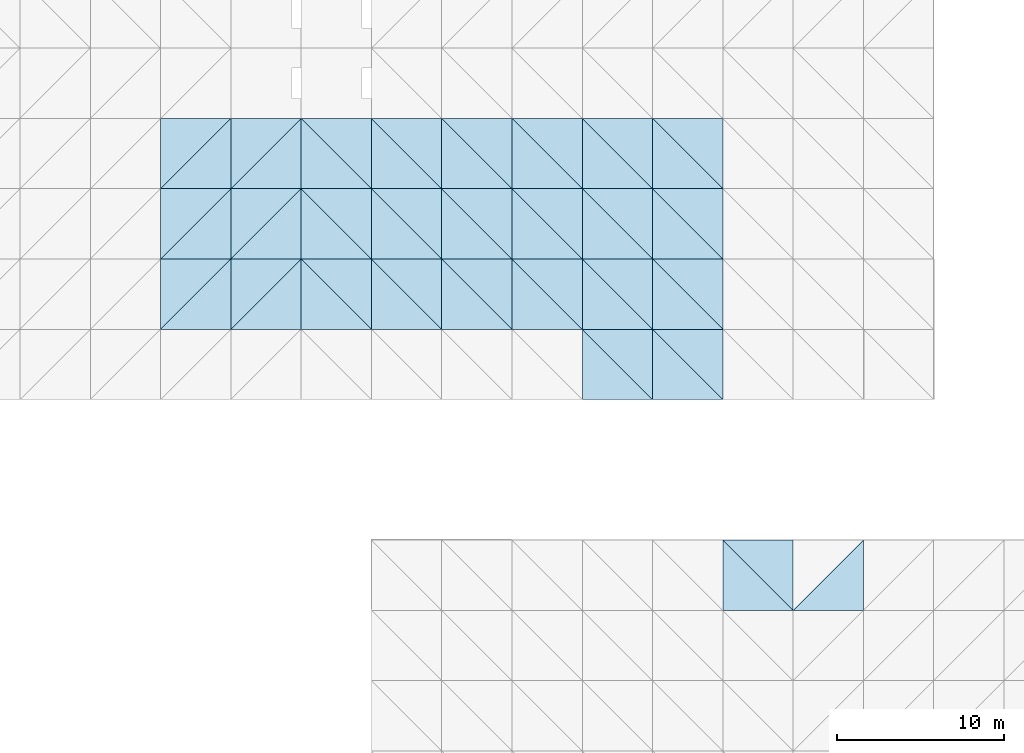
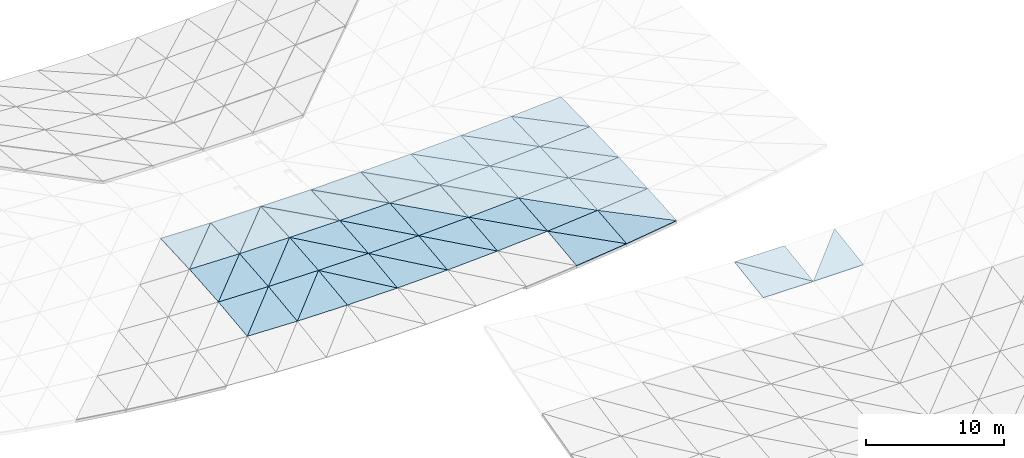
# One storey, part 50 of 64: 55 roofs.
"""IFC4 building model written with IfcOpenShell, lengths in metres."""

from ifc_helpers import new_model, si_unit, direction, frame, origin, place, context, subcontext, project, spatial, polyline, outline, extrude, material, layer, layer_set, type_object, element, save


model = new_model("IFC4")

# Units and contexts
model_context = context("Model", 3, precision=1e-05, world=origin(), true_north=direction((0.0, 1.0)))
body_context = subcontext(model_context, "Body", "Model", "MODEL_VIEW")
ifc_project = project(units=[si_unit("LENGTHUNIT", "METRE"), si_unit("AREAUNIT", "SQUARE_METRE"), si_unit("VOLUMEUNIT", "CUBIC_METRE"), si_unit("PLANEANGLEUNIT", "RADIAN"), si_unit("MASSUNIT", "GRAM", prefix="KILO")], contexts=[model_context])

# Site, building, storey
site_placement = place(None, origin())
site = spatial("IfcSite", under=ifc_project, at=site_placement, CompositionType="ELEMENT")
building_placement = place(site_placement, origin())
building = spatial("IfcBuilding", under=site, at=building_placement, Name="Cumbredor Promenade Congress Hotel", CompositionType="ELEMENT")
storey_placement = place(building_placement, frame((0.0, 0.0, 18.47998046875)))
storey = spatial("IfcBuildingStorey", under=building, at=storey_placement, Name="L05", CompositionType="ELEMENT", Elevation=18.47998046875)

# Roofs
ifc_material = material(Name="Standing-seam zinc-aluminium roofing", Category="aluminium")
ifc_layer = layer(ifc_material, 0.050048828125, Name="Standing-seam zinc-aluminium roofing", Category="aluminium")
ifc_layer_set = layer_set([ifc_layer], Name="Standing-seam zinc-aluminium roofing")
roof_type = type_object("IfcRoofType", Name="Sweeping Pavilion Standing-Seam Roof Skin 50mm", PredefinedType="FREEFORM", material=ifc_layer_set)
roof_1_placement = place(storey_placement, frame((159.60009765625, 67.199951171875, 2.47509765625), z_axis=(0.005918458152, -0.151121795525, 0.98849743286), x_axis=(0.999982076435, 0.0, -0.005987220477)))
element("IfcRoof", 1, at=roof_1_placement, inside=storey, type_object=roof_type, Name="Grand Ballroom Pavilion Standing-Seam Roof Skin 6.17.1", PredefinedType="FREEFORM", context=body_context, shape_type="SweptSolid", body=[
    extrude(outline(polyline([(0.0, 0.0), (4.200026451322731, 0.0), (-0.0038443334608334553, 4.248747395960524), (0.0, 0.0)])), origin(), (0.0, 0.0, -1.0), 0.050048828125),
])
roof_2_placement = place(storey_placement, frame((163.800048828125, 67.199951171875, 2.449951171875), z_axis=(0.01109796617, -0.146056135088, 0.989214051937), x_axis=(0.0, 0.989274975767, 0.14606513041)))
element("IfcRoof", 2, at=roof_2_placement, inside=storey, type_object=roof_type, Name="Grand Ballroom Pavilion Standing-Seam Roof Skin 6.17.2", PredefinedType="FREEFORM", context=body_context, shape_type="SweptSolid", body=[
    extrude(outline(polyline([(0.0, 0.0), (4.245484091639857, 0.0), (4.252366555060066, 4.200209838953847), (0.0, 0.0)])), origin(), (0.0, 0.0, -1.0), 0.050048828125),
])
roof_3_placement = place(storey_placement, frame((163.800048828125, 67.199951171875, 2.449951171875), z_axis=(-0.005918458152, -0.151121795525, 0.98849743286), x_axis=(0.999982076435, 0.0, 0.005987220477)))
element("IfcRoof", 3, at=roof_3_placement, inside=storey, type_object=roof_type, Name="Grand Ballroom Pavilion Standing-Seam Roof Skin 7.17.1", PredefinedType="FREEFORM", context=body_context, shape_type="SweptSolid", body=[
    extrude(outline(polyline([(0.0, 0.0), (4.200026451322731, 0.0), (4.203870784783564, 4.248747395960524), (0.0, 0.0)])), origin(), (0.0, 0.0, -1.0), 0.050048828125),
])
roof_4_placement = place(storey_placement, frame((126.0, 84.0, 0.622802734375), z_axis=(0.029866324427, -0.123674258485, 0.991873318753), x_axis=(0.999546971061, 0.0, -0.03009738598)))
element("IfcRoof", 4, at=roof_4_placement, inside=storey, type_object=roof_type, Name="Pre-Function and Breakout Meeting Forum Standing-Seam Roof Skin 10.2.1", PredefinedType="FREEFORM", context=body_context, shape_type="SweptSolid", body=[
    extrude(outline(polyline([(0.0, 0.0), (4.201854733666896, 0.0), (4.186093285198498, 4.232444197340829), (0.0, 0.0)])), origin(), (0.0, 0.0, -1.0), 0.050048828125),
])
roof_5_placement = place(storey_placement, frame((126.0, 84.0, 0.622802734375), z_axis=(0.023948655361, -0.117838925898, 0.992743899226), x_axis=(0.70553084737, 0.70553084737, 0.066726657482)))
element("IfcRoof", 5, at=roof_5_placement, inside=storey, type_object=roof_type, Name="Pre-Function and Breakout Meeting Forum Standing-Seam Roof Skin 10.2.2", PredefinedType="FREEFORM", context=body_context, shape_type="SweptSolid", body=[
    extrude(outline(polyline([(0.0, 0.0), (5.952895167562421, 4.2327252813834093e-16), (2.9964606938195932, 2.9848535070494844), (0.0, 0.0)])), origin(), (0.0, 0.0, -1.0), 0.050048828125),
])
roof_6_placement = place(storey_placement, frame((126.0, 88.199951171875, 1.121337890625), z_axis=(0.024021795727, -0.088620166887, 0.995775787691), x_axis=(0.999709150504, 0.0, -0.024116682989)))
element("IfcRoof", 6, at=roof_6_placement, inside=storey, type_object=roof_type, Name="Pre-Function and Breakout Meeting Forum Standing-Seam Roof Skin 10.3.1", PredefinedType="FREEFORM", context=body_context, shape_type="SweptSolid", body=[
    extrude(outline(polyline([(0.0, 0.0), (4.201173080947823, 0.0), (4.19215876413725, 4.216541183363327), (0.0, 0.0)])), origin(), (0.0, 0.0, -1.0), 0.050048828125),
])
roof_7_placement = place(storey_placement, frame((126.0, 88.199951171875, 1.121337890625), z_axis=(0.019863140669, -0.084490735382, 0.996226265101), x_axis=(0.706364001027, 0.706364001027, 0.045823532241)))
element("IfcRoof", 7, at=roof_7_placement, inside=storey, type_object=roof_type, Name="Pre-Function and Breakout Meeting Forum Standing-Seam Roof Skin 10.3.2", PredefinedType="FREEFORM", context=body_context, shape_type="SweptSolid", body=[
    extrude(outline(polyline([(0.0, 0.0), (5.945873750318935, -2.255140518769849e-16), (2.983016709766241, 2.9779322407057385), (0.0, 0.0)])), origin(), (0.0, 0.0, -1.0), 0.050048828125),
])
roof_8_placement = place(storey_placement, frame((126.0, 92.39990234375, 1.4775390625), z_axis=(0.01991182491, -0.047599846538, 0.998667999807), x_axis=(0.999801289689, 0.0, -0.019934420878)))
element("IfcRoof", 8, at=roof_8_placement, inside=storey, type_object=roof_type, Name="Pre-Function and Breakout Meeting Forum Standing-Seam Roof Skin 10.4.1", PredefinedType="FREEFORM", context=body_context, shape_type="SweptSolid", body=[
    extrude(outline(polyline([(0.0, 0.0), (4.200785911348895, 0.0), (4.196795133731727, 4.204961700180866), (0.0, 0.0)])), origin(), (0.0, 0.0, -1.0), 0.050048828125),
])
roof_9_placement = place(storey_placement, frame((126.0, 92.39990234375, 1.4775390625), z_axis=(0.02315740874, -0.050838874481, 0.998438352259), x_axis=(0.706950370037, 0.706991464635, 0.019602123264)))
element("IfcRoof", 9, at=roof_9_placement, inside=storey, type_object=roof_type, Name="Pre-Function and Breakout Meeting Forum Standing-Seam Roof Skin 10.4.2", PredefinedType="FREEFORM", context=body_context, shape_type="SweptSolid", body=[
    extrude(outline(polyline([(0.0, 0.0), (5.940942037631933, -4.380176776841438e-16), (2.9736944867109947, 2.9739739300708017), (0.0, 0.0)])), origin(), (0.0, 0.0, -1.0), 0.050048828125),
])
roof_10_placement = place(storey_placement, frame((130.199951171875, 84.0, 0.496337890625), z_axis=(0.009976175841, -0.125653682986, 0.992024005691), x_axis=(0.99994943839, 0.0, -0.010055877047)))
element("IfcRoof", 10, at=roof_10_placement, inside=storey, type_object=roof_type, Name="Pre-Function and Breakout Meeting Forum Standing-Seam Roof Skin 11.2.1", PredefinedType="FREEFORM", context=body_context, shape_type="SweptSolid", body=[
    extrude(outline(polyline([(0.0, 0.0), (4.200163538905083, -8.673617379884035e-19), (4.194813989079482, 4.233505229196586), (0.0, 0.0)])), origin(), (0.0, 0.0, -1.0), 0.050048828125),
])
roof_11_placement = place(storey_placement, frame((130.199951171875, 84.0, 0.496337890625), z_axis=(0.008017641638, -0.12372547708, 0.992284094271), x_axis=(0.704715278385, 0.704715278385, 0.08217513506)))
element("IfcRoof", 11, at=roof_11_placement, inside=storey, type_object=roof_type, Name="Pre-Function and Breakout Meeting Forum Standing-Seam Roof Skin 11.2.2", PredefinedType="FREEFORM", context=body_context, shape_type="SweptSolid", body=[
    extrude(outline(polyline([(0.0, 0.0), (5.959784469979747, 3.0531133177191805e-16), (3.0028033688372116, 2.9827846444156463), (0.0, 0.0)])), origin(), (0.0, 0.0, -1.0), 0.050048828125),
])
roof_12_placement = place(storey_placement, frame((130.199951171875, 88.199951171875, 1.02001953125), z_axis=(0.008046875416, -0.090078691709, 0.995902142329), x_axis=(0.999967358511, 0.0, -0.008079722306)))
element("IfcRoof", 12, at=roof_12_placement, inside=storey, type_object=roof_type, Name="Pre-Function and Breakout Meeting Forum Standing-Seam Roof Skin 11.3.1", PredefinedType="FREEFORM", context=body_context, shape_type="SweptSolid", body=[
    extrude(outline(polyline([(0.0, 0.0), (4.200088269010057, 0.0), (4.197018921376171, 4.217095134861461), (0.0, 0.0)])), origin(), (0.0, 0.0, -1.0), 0.050048828125),
])
roof_13_placement = place(storey_placement, frame((130.199951171875, 88.199951171875, 1.02001953125), z_axis=(0.006600519278, -0.088643815915, 0.996041518736), x_axis=(0.705910445422, 0.705910445422, 0.0581453875)))
element("IfcRoof", 13, at=roof_13_placement, inside=storey, type_object=roof_type, Name="Pre-Function and Breakout Meeting Forum Standing-Seam Roof Skin 11.3.2", PredefinedType="FREEFORM", context=body_context, shape_type="SweptSolid", body=[
    extrude(outline(polyline([(0.0, 0.0), (5.949694042794284, 6.696032617270475e-16), (2.9865229445462607, 2.9765721074090066), (0.0, 0.0)])), origin(), (0.0, 0.0, -1.0), 0.050048828125),
])
roof_14_placement = place(storey_placement, frame((130.199951171875, 92.39990234375, 1.393798828125), z_axis=(0.006616862076, -0.054208683789, 0.998507704396), x_axis=(0.999978043808, 0.0, -0.00662660565)))
element("IfcRoof", 14, at=roof_14_placement, inside=storey, type_object=roof_type, Name="Pre-Function and Breakout Meeting Forum Standing-Seam Roof Skin 11.4.1", PredefinedType="FREEFORM", context=body_context, shape_type="SweptSolid", body=[
    extrude(outline(polyline([(0.0, 0.0), (4.20004338883513, 0.0), (4.19853234155072, 4.206380254967537), (0.0, 0.0)])), origin(), (0.0, 0.0, -1.0), 0.050048828125),
])
roof_15_placement = place(storey_placement, frame((130.199951171875, 92.39990234375, 1.393798828125), z_axis=(0.0, -0.047609285557, 0.998866035026), x_axis=(0.706684959675, 0.706726038844, 0.033684919313)))
element("IfcRoof", 15, at=roof_15_placement, inside=storey, type_object=roof_type, Name="Pre-Function and Breakout Meeting Forum Standing-Seam Roof Skin 11.4.2", PredefinedType="FREEFORM", context=body_context, shape_type="SweptSolid", body=[
    extrude(outline(polyline([(0.0, 0.0), (5.943173283055789, 9.367506770274758e-17), (2.9751309585243275, 2.9715845278107205), (0.0, 0.0)])), origin(), (0.0, 0.0, -1.0), 0.050048828125),
])
roof_16_placement = place(storey_placement, frame((134.39990234375, 84.0, 0.4541015625), z_axis=(-0.009975596023, -0.125653683712, 0.99202401143), x_axis=(0.999949444267, 0.0, 0.010055292598)))
element("IfcRoof", 16, at=roof_16_placement, inside=storey, type_object=roof_type, Name="Pre-Function and Breakout Meeting Forum Standing-Seam Roof Skin 12.2.1", PredefinedType="FREEFORM", context=body_context, shape_type="SweptSolid", body=[
    extrude(outline(polyline([(0.0, 0.0), (4.200407667186657, 0.0), (0.005349238909016163, 4.233505229589456), (0.0, 0.0)])), origin(), (0.0, 0.0, -1.0), 0.050048828125),
])
roof_17_placement = place(storey_placement, frame((138.60009765625, 84.0, 0.496337890625), z_axis=(-0.008017175635, -0.123725477543, 0.992284097979), x_axis=(0.0, 0.992315989099, 0.123729453968)))
element("IfcRoof", 17, at=roof_17_placement, inside=storey, type_object=roof_type, Name="Pre-Function and Breakout Meeting Forum Standing-Seam Roof Skin 12.2.2", PredefinedType="FREEFORM", context=body_context, shape_type="SweptSolid", body=[
    extrude(outline(polyline([(0.0, 0.0), (4.232473544732664, -8.673617379884035e-19), (4.228274718047705, 4.200330303005127), (0.0, 0.0)])), origin(), (0.0, 0.0, -1.0), 0.050048828125),
])
roof_18_placement = place(storey_placement, frame((134.39990234375, 88.199951171875, 0.986083984375), z_axis=(-0.008046407714, -0.090078692048, 0.995902146078), x_axis=(0.999967362305, 0.0, 0.008079252695)))
element("IfcRoof", 18, at=roof_18_placement, inside=storey, type_object=roof_type, Name="Pre-Function and Breakout Meeting Forum Standing-Seam Roof Skin 12.3.1", PredefinedType="FREEFORM", context=body_context, shape_type="SweptSolid", body=[
    extrude(outline(polyline([(0.0, 0.0), (4.200332401666406, 0.0), (0.003069169236579016, 4.2170951349913), (0.0, 0.0)])), origin(), (0.0, 0.0, -1.0), 0.050048828125),
])
roof_19_placement = place(storey_placement, frame((138.60009765625, 88.199951171875, 1.02001953125), z_axis=(-0.006600135633, -0.088643816139, 0.996041521258), x_axis=(0.0, 0.996063216643, 0.088645746944)))
element("IfcRoof", 19, at=roof_19_placement, inside=storey, type_object=roof_type, Name="Pre-Function and Breakout Meeting Forum Standing-Seam Roof Skin 12.3.2", PredefinedType="FREEFORM", context=body_context, shape_type="SweptSolid", body=[
    extrude(outline(polyline([(0.0, 0.0), (4.216550818964069, 0.0), (4.21408362776494, 4.200286799502869), (0.0, 0.0)])), origin(), (0.0, 0.0, -1.0), 0.050048828125),
])
roof_20_placement = place(storey_placement, frame((134.39990234375, 92.39990234375, 1.365966796875), z_axis=(-0.006616477481, -0.054208683927, 0.998507706937), x_axis=(0.99997804636, 0.0, 0.006626220489)))
element("IfcRoof", 20, at=roof_20_placement, inside=storey, type_object=roof_type, Name="Pre-Function and Breakout Meeting Forum Standing-Seam Roof Skin 12.4.1", PredefinedType="FREEFORM", context=body_context, shape_type="SweptSolid", body=[
    extrude(outline(polyline([(0.0, 0.0), (4.200287524100044, 0.0), (0.0015109594571062822, 4.206380254999085), (0.0, 0.0)])), origin(), (0.0, 0.0, -1.0), 0.050048828125),
])
roof_21_placement = place(storey_placement, frame((138.60009765625, 92.39990234375, 1.393798828125), z_axis=(0.0, -0.047609285557, 0.998866035026), x_axis=(0.0, 0.998866035026, 0.047609285557)))
element("IfcRoof", 21, at=roof_21_placement, inside=storey, type_object=roof_type, Name="Pre-Function and Breakout Meeting Forum Standing-Seam Roof Skin 12.4.2", PredefinedType="FREEFORM", context=body_context, shape_type="SweptSolid", body=[
    extrude(outline(polyline([(0.0, 0.0), (4.20496359393205, 0.0), (4.20496359393205, 4.2001953125), (0.0, 0.0)])), origin(), (0.0, 0.0, -1.0), 0.050048828125),
])
roof_22_placement = place(storey_placement, frame((138.60009765625, 84.0, 0.496337890625), z_axis=(-0.029866324427, -0.123674258485, 0.991873318753), x_axis=(0.999546971061, 0.0, 0.03009738598)))
element("IfcRoof", 22, at=roof_22_placement, inside=storey, type_object=roof_type, Name="Pre-Function and Breakout Meeting Forum Standing-Seam Roof Skin 13.2.1", PredefinedType="FREEFORM", context=body_context, shape_type="SweptSolid", body=[
    extrude(outline(polyline([(0.0, 0.0), (4.201854733666896, 0.0), (0.015761448468397835, 4.232444197340829), (0.0, 0.0)])), origin(), (0.0, 0.0, -1.0), 0.050048828125),
])
roof_23_placement = place(storey_placement, frame((142.800048828125, 84.0, 0.622802734375), z_axis=(-0.023948655361, -0.117838925898, 0.992743899226), x_axis=(0.0, 0.993028709966, 0.117872732997)))
element("IfcRoof", 23, at=roof_23_placement, inside=storey, type_object=roof_type, Name="Pre-Function and Breakout Meeting Forum Standing-Seam Roof Skin 13.2.2", PredefinedType="FREEFORM", context=body_context, shape_type="SweptSolid", body=[
    extrude(outline(polyline([(0.0, 0.0), (4.229435795487549, 1.734723475976807e-18), (4.217493123565233, 4.2011561062007665), (0.0, 0.0)])), origin(), (0.0, 0.0, -1.0), 0.050048828125),
])
roof_24_placement = place(storey_placement, frame((138.60009765625, 88.199951171875, 1.02001953125), z_axis=(-0.024021795727, -0.088620166887, 0.995775787691), x_axis=(0.999709150504, 0.0, 0.024116682989)))
element("IfcRoof", 24, at=roof_24_placement, inside=storey, type_object=roof_type, Name="Pre-Function and Breakout Meeting Forum Standing-Seam Roof Skin 13.3.1", PredefinedType="FREEFORM", context=body_context, shape_type="SweptSolid", body=[
    extrude(outline(polyline([(0.0, 0.0), (4.201173080947823, 0.0), (0.009014316810573318, 4.216541183363327), (0.0, 0.0)])), origin(), (0.0, 0.0, -1.0), 0.050048828125),
])
roof_25_placement = place(storey_placement, frame((142.800048828125, 88.199951171875, 1.121337890625), z_axis=(-0.019863140669, -0.084490735382, 0.996226265101), x_axis=(0.0, 0.996422851, 0.084507407988)))
element("IfcRoof", 25, at=roof_25_placement, inside=storey, type_object=roof_type, Name="Pre-Function and Breakout Meeting Forum Standing-Seam Roof Skin 13.3.2", PredefinedType="FREEFORM", context=body_context, shape_type="SweptSolid", body=[
    extrude(outline(polyline([(0.0, 0.0), (4.215028958498306, 0.0), (4.207952288347007, 4.200779950643325), (0.0, 0.0)])), origin(), (0.0, 0.0, -1.0), 0.050048828125),
])
roof_26_placement = place(storey_placement, frame((138.60009765625, 92.39990234375, 1.393798828125), z_axis=(-0.01991182491, -0.047599846538, 0.998667999807), x_axis=(0.999801289689, 0.0, 0.019934420878)))
element("IfcRoof", 26, at=roof_26_placement, inside=storey, type_object=roof_type, Name="Pre-Function and Breakout Meeting Forum Standing-Seam Roof Skin 13.4.1", PredefinedType="FREEFORM", context=body_context, shape_type="SweptSolid", body=[
    extrude(outline(polyline([(0.0, 0.0), (4.200785911348895, 0.0), (0.003990777617168124, 4.204961700180866), (0.0, 0.0)])), origin(), (0.0, 0.0, -1.0), 0.050048828125),
])
roof_27_placement = place(storey_placement, frame((142.800048828125, 92.39990234375, 1.4775390625), z_axis=(-0.02315740874, -0.050838874481, 0.998438352259), x_axis=(0.0, 0.998706174042, 0.050852511536)))
element("IfcRoof", 27, at=roof_27_placement, inside=storey, type_object=roof_type, Name="Pre-Function and Breakout Meeting Forum Standing-Seam Roof Skin 13.4.2", PredefinedType="FREEFORM", context=body_context, shape_type="SweptSolid", body=[
    extrude(outline(polyline([(0.0, 0.0), (4.205636674397366, 8.673617379884035e-19), (4.200683023981651, 4.2010777696365755), (0.0, 0.0)])), origin(), (0.0, 0.0, -1.0), 0.050048828125),
])
roof_28_placement = place(storey_placement, frame((142.800048828125, 84.0, 0.622802734375), z_axis=(-0.049811761515, -0.11772640858, 0.99179598766), x_axis=(0.998741166039, 0.0, 0.050160574752)))
element("IfcRoof", 28, at=roof_28_placement, inside=storey, type_object=roof_type, Name="Pre-Function and Breakout Meeting Forum Standing-Seam Roof Skin 14.2.1", PredefinedType="FREEFORM", context=body_context, shape_type="SweptSolid", body=[
    extrude(outline(polyline([(0.0, 0.0), (4.205244876941228, -3.469446951953614e-18), (0.02500680997154547, 4.229361867658813), (0.0, 0.0)])), origin(), (0.0, 0.0, -1.0), 0.050048828125),
])
roof_29_placement = place(storey_placement, frame((147.0, 84.0, 0.833740234375), z_axis=(-0.040072835618, -0.108092720861, 0.993332840262), x_axis=(0.0, 0.994131365021, 0.108179614911)))
element("IfcRoof", 29, at=roof_29_placement, inside=storey, type_object=roof_type, Name="Pre-Function and Breakout Meeting Forum Standing-Seam Roof Skin 14.2.2", PredefinedType="FREEFORM", context=body_context, shape_type="SweptSolid", body=[
    extrude(outline(polyline([(0.0, 0.0), (4.224744656143227, 3.469446951953614e-18), (4.20641539521832, 4.203327447037546), (0.0, 0.0)])), origin(), (0.0, 0.0, -1.0), 0.050048828125),
])
roof_30_placement = place(storey_placement, frame((142.800048828125, 88.199951171875, 1.121337890625), z_axis=(-0.040165055195, -0.084439215461, 0.995618796143), x_axis=(0.999187261443, 0.0, 0.040309013512)))
element("IfcRoof", 30, at=roof_30_placement, inside=storey, type_object=roof_type, Name="Pre-Function and Breakout Meeting Forum Standing-Seam Roof Skin 14.3.1", PredefinedType="FREEFORM", context=body_context, shape_type="SweptSolid", body=[
    extrude(outline(polyline([(0.0, 0.0), (4.203367410639382, 0.0), (0.014358117849984081, 4.215004503607455), (0.0, 0.0)])), origin(), (0.0, 0.0, -1.0), 0.050048828125),
])
roof_31_placement = place(storey_placement, frame((147.0, 88.199951171875, 1.290771484375), z_axis=(-0.033131848361, -0.077442799403, 0.996446131733), x_axis=(0.0, 0.996993491522, 0.07748533966)))
element("IfcRoof", 31, at=roof_31_placement, inside=storey, type_object=roof_type, Name="Pre-Function and Breakout Meeting Forum Standing-Seam Roof Skin 14.3.2", PredefinedType="FREEFORM", context=body_context, shape_type="SweptSolid", body=[
    extrude(outline(polyline([(0.0, 0.0), (4.21261643891189, 0.0), (4.20179573229926, 4.202258255335907), (0.0, 0.0)])), origin(), (0.0, 0.0, -1.0), 0.050048828125),
])
roof_32_placement = place(storey_placement, frame((142.800048828125, 92.39990234375, 1.4775390625), z_axis=(-0.033188701177, -0.050824497056, 0.99815599012), x_axis=(0.999447676196, 0.0, 0.033231649758)))
element("IfcRoof", 32, at=roof_32_placement, inside=storey, type_object=roof_type, Name="Pre-Function and Breakout Meeting Forum Standing-Seam Roof Skin 14.4.1", PredefinedType="FREEFORM", context=body_context, shape_type="SweptSolid", body=[
    extrude(outline(polyline([(0.0, 0.0), (4.202272186833021, 0.0), (0.007107159469696978, 4.205630669153011), (0.0, 0.0)])), origin(), (0.0, 0.0, -1.0), 0.050048828125),
])
roof_33_placement = place(storey_placement, frame((147.0, 92.39990234375, 1.6171875), z_axis=(-0.028904953175, -0.046547038117, 0.998497810175), x_axis=(0.0, 0.998915192356, 0.046566495249)))
element("IfcRoof", 33, at=roof_33_placement, inside=storey, type_object=roof_type, Name="Pre-Function and Breakout Meeting Forum Standing-Seam Roof Skin 14.4.2", PredefinedType="FREEFORM", context=body_context, shape_type="SweptSolid", body=[
    extrude(outline(polyline([(0.0, 0.0), (4.204756664669798, 8.673617379884035e-19), (4.199095015589189, 4.201706793933479), (0.0, 0.0)])), origin(), (0.0, 0.0, -1.0), 0.050048828125),
])
roof_34_placement = place(storey_placement, frame((147.0, 84.0, 0.833740234375), z_axis=(-0.069696106028, -0.107916551269, 0.991713905704), x_axis=(0.997539580824, 0.0, 0.070105525386)))
element("IfcRoof", 34, at=roof_34_placement, inside=storey, type_object=roof_type, Name="Pre-Function and Breakout Meeting Forum Standing-Seam Roof Skin 15.2.1", PredefinedType="FREEFORM", context=body_context, shape_type="SweptSolid", body=[
    extrude(outline(polyline([(0.0, 0.0), (4.210310300074583, 0.0), (0.03204041589909029, 4.22462315731945), (0.0, 0.0)])), origin(), (0.0, 0.0, -1.0), 0.050048828125),
])
roof_35_placement = place(storey_placement, frame((151.199951171875, 84.0, 1.12890625), z_axis=(-0.056044951003, -0.094351963906, 0.993960094961), x_axis=(0.0, 0.995524814543, 0.094500495387)))
element("IfcRoof", 35, at=roof_35_placement, inside=storey, type_object=roof_type, Name="Pre-Function and Breakout Meeting Forum Standing-Seam Roof Skin 15.2.2", PredefinedType="FREEFORM", context=body_context, shape_type="SweptSolid", body=[
    extrude(outline(polyline([(0.0, 0.0), (4.218831224012834, 3.469446951953614e-18), (4.196451956306348, 4.206562851637935), (0.0, 0.0)])), origin(), (0.0, 0.0, -1.0), 0.050048828125),
])
roof_36_placement = place(storey_placement, frame((147.0, 88.199951171875, 1.290771484375), z_axis=(-0.05612737267, -0.077363193051, 0.995421847459), x_axis=(0.998414117425, 0.0, 0.05629609335)))
element("IfcRoof", 36, at=roof_36_placement, inside=storey, type_object=roof_type, Name="Pre-Function and Breakout Meeting Forum Standing-Seam Roof Skin 15.3.1", PredefinedType="FREEFORM", context=body_context, shape_type="SweptSolid", body=[
    extrude(outline(polyline([(0.0, 0.0), (4.206622381008706, 0.0), (0.018375946486601544, 4.212576359661793), (0.0, 0.0)])), origin(), (0.0, 0.0, -1.0), 0.050048828125),
])
roof_37_placement = place(storey_placement, frame((151.199951171875, 88.199951171875, 1.527587890625), z_axis=(-0.046347025276, -0.067608723121, 0.996634844768), x_axis=(0.0, 0.997706981448, 0.067681453662)))
element("IfcRoof", 37, at=roof_37_placement, inside=storey, type_object=roof_type, Name="Pre-Function and Breakout Meeting Forum Standing-Seam Roof Skin 15.3.2", PredefinedType="FREEFORM", context=body_context, shape_type="SweptSolid", body=[
    extrude(outline(polyline([(0.0, 0.0), (4.209603871649053, 1.734723475976807e-18), (4.196384837730665, 4.204469297775011), (0.0, 0.0)])), origin(), (0.0, 0.0, -1.0), 0.050048828125),
])
roof_38_placement = place(storey_placement, frame((147.0, 92.39990234375, 1.6171875), z_axis=(-0.046403030175, -0.046516333784, 0.997839160126), x_axis=(0.998920462084, 0.0, 0.046453314519)))
element("IfcRoof", 38, at=roof_38_placement, inside=storey, type_object=roof_type, Name="Pre-Function and Breakout Meeting Forum Standing-Seam Roof Skin 15.4.1", PredefinedType="FREEFORM", context=body_context, shape_type="SweptSolid", body=[
    extrude(outline(polyline([(0.0, 0.0), (4.204490078331787, 0.0), (0.00909559527443671, 4.204746827007744), (0.0, 0.0)])), origin(), (0.0, 0.0, -1.0), 0.050048828125),
])
roof_39_placement = place(storey_placement, frame((151.199951171875, 92.39990234375, 1.8125), z_axis=(-0.040507499592, -0.04062120564, 0.998353174047), x_axis=(0.0, 0.999173261078, 0.040654573515)))
element("IfcRoof", 39, at=roof_39_placement, inside=storey, type_object=roof_type, Name="Pre-Function and Breakout Meeting Forum Standing-Seam Roof Skin 15.4.2", PredefinedType="FREEFORM", context=body_context, shape_type="SweptSolid", body=[
    extrude(outline(polyline([(0.0, 0.0), (4.203670650644139, 0.0), (4.196742698419149, 4.203401178922291), (0.0, 0.0)])), origin(), (0.0, 0.0, -1.0), 0.050048828125),
])
roof_40_placement = place(storey_placement, frame((151.199951171875, 79.800048828125, 0.6162109375), z_axis=(-0.111811538956, -0.120412426568, 0.986407130593), x_axis=(0.99363687889, 0.0, 0.112631047715)))
element("IfcRoof", 40, at=roof_40_placement, inside=storey, type_object=roof_type, Name="Pre-Function and Breakout Meeting Forum Standing-Seam Roof Skin 16.1.1", PredefinedType="FREEFORM", context=body_context, shape_type="SweptSolid", body=[
    extrude(outline(polyline([(0.0, 0.0), (4.226847111960948, 6.938893903907228e-18), (0.05774541020528865, 4.2307341912715195), (0.0, 0.0)])), origin(), (0.0, 0.0, -1.0), 0.050048828125),
])
roof_41_placement = place(storey_placement, frame((155.39990234375, 79.800048828125, 1.09228515625), z_axis=(-0.089588796915, -0.098230803049, 0.991122876741), x_axis=(0.0, 0.995124432433, 0.098627399715)))
element("IfcRoof", 41, at=roof_41_placement, inside=storey, type_object=roof_type, Name="Pre-Function and Breakout Meeting Forum Standing-Seam Roof Skin 16.1.2", PredefinedType="FREEFORM", context=body_context, shape_type="SweptSolid", body=[
    extrude(outline(polyline([(0.0, 0.0), (4.220528644448746, 0.0), (4.183085869410427, 4.216908038588775), (0.0, 0.0)])), origin(), (0.0, 0.0, -1.0), 0.050048828125),
])
roof_42_placement = place(storey_placement, frame((151.199951171875, 84.0, 1.12890625), z_axis=(-0.089624552929, -0.094120189668, 0.991518446328), x_axis=(0.995939579594, 0.0, 0.090024184518)))
element("IfcRoof", 42, at=roof_42_placement, inside=storey, type_object=roof_type, Name="Pre-Function and Breakout Meeting Forum Standing-Seam Roof Skin 16.2.1", PredefinedType="FREEFORM", context=body_context, shape_type="SweptSolid", body=[
    extrude(outline(polyline([(0.0, 0.0), (4.21707426627955, -6.938893903907228e-18), (0.03589098957969069, 4.218678553003608), (0.0, 0.0)])), origin(), (0.0, 0.0, -1.0), 0.050048828125),
])
roof_43_placement = place(storey_placement, frame((155.39990234375, 84.0, 1.508544921875), z_axis=(-0.072142465949, -0.076651370071, 0.994444584717), x_axis=(0.0, 0.997042541012, 0.076851619449)))
element("IfcRoof", 43, at=roof_43_placement, inside=storey, type_object=roof_type, Name="Pre-Function and Breakout Meeting Forum Standing-Seam Roof Skin 16.2.2", PredefinedType="FREEFORM", context=body_context, shape_type="SweptSolid", body=[
    extrude(outline(polyline([(0.0, 0.0), (4.212409199321842, 0.0), (4.1889934715209565, 4.210923416838876), (0.0, 0.0)])), origin(), (0.0, 0.0, -1.0), 0.050048828125),
])
roof_44_placement = place(storey_placement, frame((151.199951171875, 88.199951171875, 1.527587890625), z_axis=(-0.07219029204, -0.067504864432, 0.995103841322), x_axis=(0.997378917455, 0.0, 0.072355338545)))
element("IfcRoof", 44, at=roof_44_placement, inside=storey, type_object=roof_type, Name="Pre-Function and Breakout Meeting Forum Standing-Seam Roof Skin 16.3.1", PredefinedType="FREEFORM", context=body_context, shape_type="SweptSolid", body=[
    extrude(outline(polyline([(0.0, 0.0), (4.210988520382172, -3.469446951953614e-18), (0.02061491212930613, 4.20955339455394), (0.0, 0.0)])), origin(), (0.0, 0.0, -1.0), 0.050048828125),
])
roof_45_placement = place(storey_placement, frame((155.39990234375, 88.199951171875, 1.832275390625), z_axis=(-0.059560754984, -0.054867738297, 0.996715630338), x_axis=(0.0, 0.99848826417, 0.054965319198)))
element("IfcRoof", 45, at=roof_45_placement, inside=storey, type_object=roof_type, Name="Pre-Function and Breakout Meeting Forum Standing-Seam Roof Skin 16.3.2", PredefinedType="FREEFORM", context=body_context, shape_type="SweptSolid", body=[
    extrude(outline(polyline([(0.0, 0.0), (4.2063100014157975, 0.0), (4.1925149945466815, 4.20742068004187), (0.0, 0.0)])), origin(), (0.0, 0.0, -1.0), 0.050048828125),
])
roof_46_placement = place(storey_placement, frame((151.199951171875, 92.39990234375, 1.8125), z_axis=(-0.059601470586, -0.040582299935, 0.997396982969), x_axis=(0.998219316899, 0.0, 0.05965061081)))
element("IfcRoof", 46, at=roof_46_placement, inside=storey, type_object=roof_type, Name="Pre-Function and Breakout Meeting Forum Standing-Seam Roof Skin 16.4.1", PredefinedType="FREEFORM", context=body_context, shape_type="SweptSolid", body=[
    extrude(outline(polyline([(0.0, 0.0), (4.207443295049679, 0.0), (0.010194196183424655, 4.20365828980557), (0.0, 0.0)])), origin(), (0.0, 0.0, -1.0), 0.050048828125),
])
roof_47_placement = place(storey_placement, frame((155.39990234375, 92.39990234375, 2.0634765625), z_axis=(-0.052042951455, -0.03301083403, 0.998099101312), x_axis=(0.0, 0.999453513357, 0.033055629452)))
element("IfcRoof", 47, at=roof_47_placement, inside=storey, type_object=roof_type, Name="Pre-Function and Breakout Meeting Forum Standing-Seam Roof Skin 16.4.2", PredefinedType="FREEFORM", context=body_context, shape_type="SweptSolid", body=[
    extrude(outline(polyline([(0.0, 0.0), (4.202491918200926, 0.0), (4.195252929036167, 4.205650470117333), (0.0, 0.0)])), origin(), (0.0, 0.0, -1.0), 0.050048828125),
])
roof_48_placement = place(storey_placement, frame((155.39990234375, 79.800048828125, 1.09228515625), z_axis=(-0.136547890512, -0.097703603302, 0.985803570443), x_axis=(0.990542765342, 0.0, 0.137204336771)))
element("IfcRoof", 48, at=roof_48_placement, inside=storey, type_object=roof_type, Name="Pre-Function and Breakout Meeting Forum Standing-Seam Roof Skin 17.1.1", PredefinedType="FREEFORM", context=body_context, shape_type="SweptSolid", body=[
    extrude(outline(polyline([(0.0, 0.0), (4.24029679430366, 0.0), (0.05711264506706626, 4.220142199545628), (0.0, 0.0)])), origin(), (0.0, 0.0, -1.0), 0.050048828125),
])
roof_49_placement = place(storey_placement, frame((159.60009765625, 79.800048828125, 1.674072265625), z_axis=(-0.109499433655, -0.070429519012, 0.991488556102), x_axis=(0.0, 0.997486584501, 0.070855583692)))
element("IfcRoof", 49, at=roof_49_placement, inside=storey, type_object=roof_type, Name="Pre-Function and Breakout Meeting Forum Standing-Seam Roof Skin 17.1.2", PredefinedType="FREEFORM", context=body_context, shape_type="SweptSolid", body=[
    extrude(outline(polyline([(0.0, 0.0), (4.210533993272463, 0.0), (4.1776664129464, 4.225604471900991), (0.0, 0.0)])), origin(), (0.0, 0.0, -1.0), 0.050048828125),
])
roof_50_placement = place(storey_placement, frame((155.39990234375, 84.0, 1.508544921875), z_axis=(-0.109451272701, -0.0763899074, 0.991052471341), x_axis=(0.993956791172, 0.0, 0.109772024135)))
element("IfcRoof", 50, at=roof_50_placement, inside=storey, type_object=roof_type, Name="Pre-Function and Breakout Meeting Forum Standing-Seam Roof Skin 17.2.1", PredefinedType="FREEFORM", context=body_context, shape_type="SweptSolid", body=[
    extrude(outline(polyline([(0.0, 0.0), (4.225732295210634, 6.938893903907228e-18), (0.03553654882901992, 4.212259300687531), (0.0, 0.0)])), origin(), (0.0, 0.0, -1.0), 0.050048828125),
])
roof_51_placement = place(storey_placement, frame((159.60009765625, 84.0, 1.972412109375), z_axis=(-0.088162404537, -0.054981849459, 0.994587545999), x_axis=(0.0, 0.998475495714, 0.055196779424)))
element("IfcRoof", 51, at=roof_51_placement, inside=storey, type_object=roof_type, Name="Pre-Function and Breakout Meeting Forum Standing-Seam Roof Skin 17.2.2", PredefinedType="FREEFORM", context=body_context, shape_type="SweptSolid", body=[
    extrude(outline(polyline([(0.0, 0.0), (4.206363791503737, -3.469446951953614e-18), (4.185813232758383, 4.216614327833172), (0.0, 0.0)])), origin(), (0.0, 0.0, -1.0), 0.050048828125),
])
roof_52_placement = place(storey_placement, frame((155.39990234375, 88.199951171875, 1.832275390625), z_axis=(-0.08816352319, -0.054751285072, 0.994600165877), x_axis=(0.996094283967, 0.0, 0.088295965069)))
element("IfcRoof", 52, at=roof_52_placement, inside=storey, type_object=roof_type, Name="Pre-Function and Breakout Meeting Forum Standing-Seam Roof Skin 17.3.1", PredefinedType="FREEFORM", context=body_context, shape_type="SweptSolid", body=[
    extrude(outline(polyline([(0.0, 0.0), (4.216664406275741, 0.0), (0.02041413059582972, 4.206260464032462), (0.0, 0.0)])), origin(), (0.0, 0.0, -1.0), 0.050048828125),
])
roof_53_placement = place(storey_placement, frame((159.60009765625, 88.199951171875, 2.20458984375), z_axis=(-0.072813763069, -0.03933446227, 0.996569594151), x_axis=(0.0, 0.999221974009, 0.039439151331)))
element("IfcRoof", 53, at=roof_53_placement, inside=storey, type_object=roof_type, Name="Pre-Function and Breakout Meeting Forum Standing-Seam Roof Skin 17.3.2", PredefinedType="FREEFORM", context=body_context, shape_type="SweptSolid", body=[
    extrude(outline(polyline([(0.0, 0.0), (4.203221387360661, 0.0), (4.191118112647912, 4.211374173979429), (0.0, 0.0)])), origin(), (0.0, 0.0, -1.0), 0.050048828125),
])
roof_54_placement = place(storey_placement, frame((155.39990234375, 92.39990234375, 2.0634765625), z_axis=(-0.072830545962, -0.032967844592, 0.99679929414), x_axis=(0.997341436111, 0.0, 0.072870157242)))
element("IfcRoof", 54, at=roof_54_placement, inside=storey, type_object=roof_type, Name="Pre-Function and Breakout Meeting Forum Standing-Seam Roof Skin 17.4.1", PredefinedType="FREEFORM", context=body_context, shape_type="SweptSolid", body=[
    extrude(outline(polyline([(0.0, 0.0), (4.211391566040812, -1.734723475976807e-18), (0.010122831902025002, 4.202479726401828), (0.0, 0.0)])), origin(), (0.0, 0.0, -1.0), 0.050048828125),
])
roof_55_placement = place(storey_placement, frame((159.60009765625, 92.39990234375, 2.370361328125), z_axis=(-0.063559433536, -0.023660811025, 0.997697531535), x_axis=(0.0, 0.999718908109, 0.023708748809)))
element("IfcRoof", 55, at=roof_55_placement, inside=storey, type_object=roof_type, Name="Pre-Function and Breakout Meeting Forum Standing-Seam Roof Skin 17.4.2", PredefinedType="FREEFORM", context=body_context, shape_type="SweptSolid", body=[
    extrude(outline(polyline([(0.0, 0.0), (4.201376285306383, -8.673617379884035e-19), (4.1950323427540015, 4.208705082387977), (0.0, 0.0)])), origin(), (0.0, 0.0, -1.0), 0.050048828125),
])

save(model, "model.ifc")
